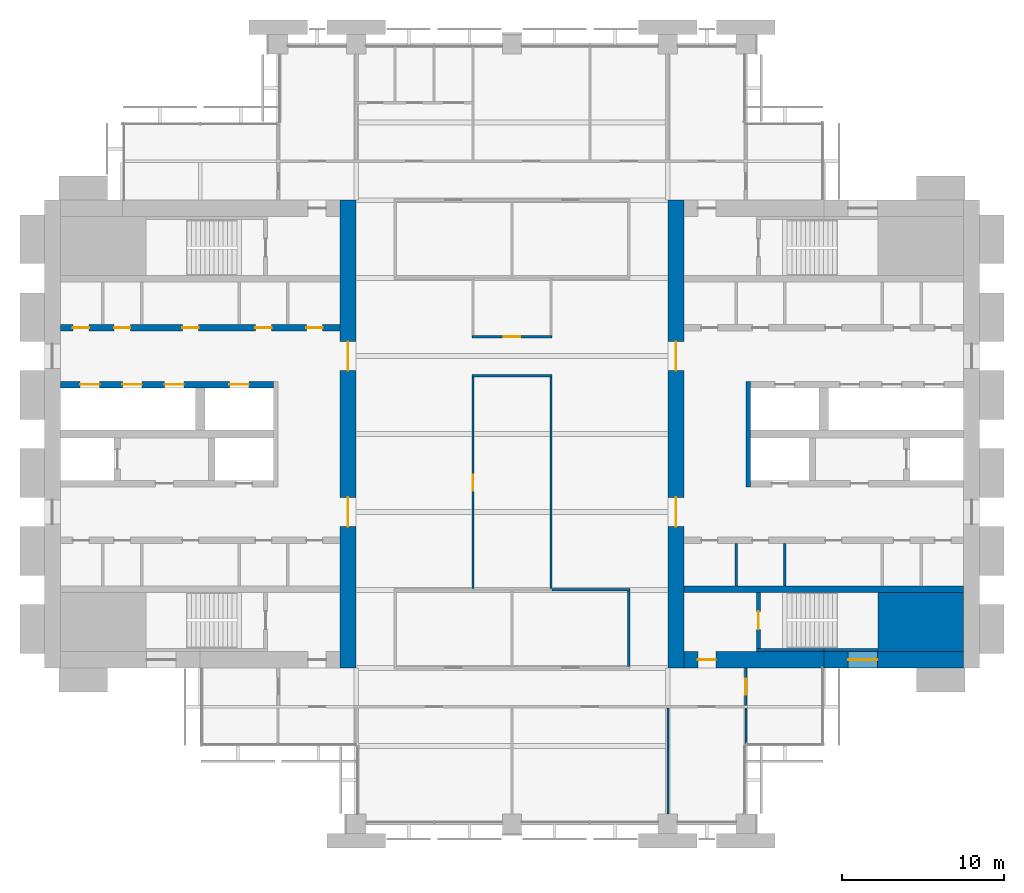
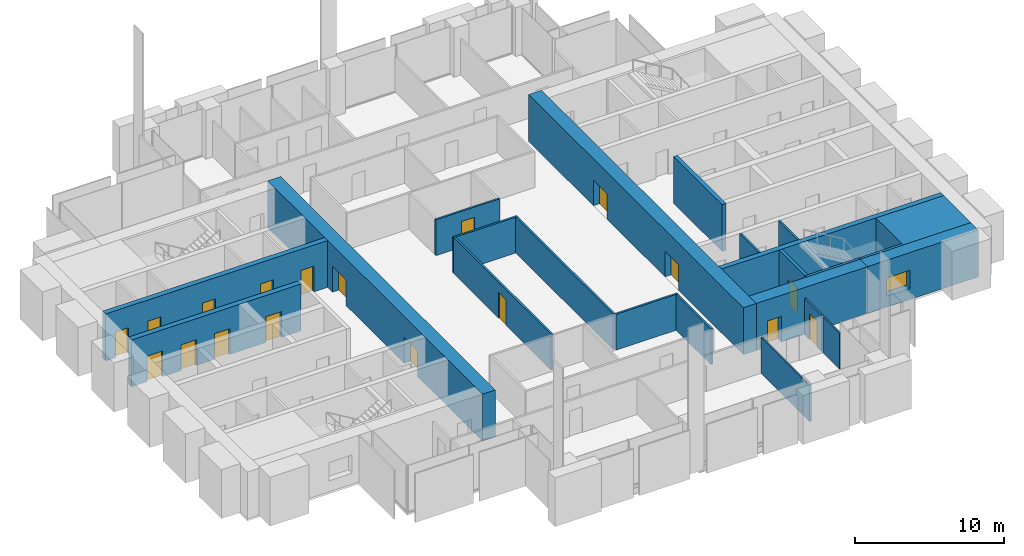
# One storey, part 10 of 14: 23 walls, 18 doors, 1 window, 19 openings.
"""IFC4 building model written with IfcOpenShell, lengths in metres."""

from ifc_helpers import new_model, si_unit, direction, frame, frame_2d, origin, place, context, subcontext, project, spatial, rectangle, extrude, material, layer, layer_set, type_object, element, fill, save


model = new_model("IFC4")

# Units and contexts
model_context = context("Model", 3, precision=1e-05, world=origin(), true_north=direction((0.0, 1.0)))
body_context = subcontext(model_context, "Body", "Model", "MODEL_VIEW")
ifc_project = project(units=[si_unit("LENGTHUNIT", "METRE"), si_unit("AREAUNIT", "SQUARE_METRE"), si_unit("VOLUMEUNIT", "CUBIC_METRE"), si_unit("PLANEANGLEUNIT", "RADIAN"), si_unit("MASSUNIT", "GRAM", prefix="KILO")], contexts=[model_context])

# Site, building, storey
site_placement = place(None, origin())
site = spatial("IfcSite", under=ifc_project, at=site_placement, CompositionType="ELEMENT")
building_placement = place(site_placement, origin())
building = spatial("IfcBuilding", under=site, at=building_placement, Name="Baori Bourse Tower", CompositionType="ELEMENT")
storey_placement = place(building_placement, frame((0.0, 0.0, 156.10009765625)))
storey = spatial("IfcBuildingStorey", under=building, at=storey_placement, Name="L34", CompositionType="ELEMENT", Elevation=156.10009765625)

# Walls
ifc_material_1 = material(Name="Concrete f'c 60 MPa", Category="concrete")
wall_type_1 = type_object("IfcWallType", Name="Core corner block f'c 60", PredefinedType="SHEAR", material=ifc_material_1)
wall_1_placement = place(storey_placement, frame((51.35009765625, 12.425048828125, 0.0), z_axis=(0.0, 0.0, 1.0), x_axis=(1.0, 0.0, 0.0)))
element("IfcWall", 1, at=wall_1_placement, inside=storey, type_object=wall_type_1, Name="Core wall E05", PredefinedType="SHEAR", context=body_context, shape_type="SweptSolid", body=[
    extrude(rectangle(XDim=5.25, YDim=3.64990234375, at=frame_2d((2.625, 0.0))), origin(), (0.0, 0.0, 1.0), 3.83984375),
])
ifc_material_2 = material(Name="Blockwork partition", Category="masonry")
ifc_layer_1 = layer(ifc_material_2, 0.14990234375)
ifc_layer_set_1 = layer_set([ifc_layer_1], Name="Core partition 150")
wall_type_2 = type_object("IfcWallType", Name="Core partition 150", PredefinedType="PARTITIONING", material=ifc_layer_set_1)
for number, where, z_axis, x_axis, name in (
    (2, (45.60009765625, 14.64990234375, 0.0), (0.0, 0.0, 1.0), (0.0, 1.0, 0.0), "Partition wall E12"),
    (3, (42.60009765625, 14.64990234375, 0.0), (0.0, 0.0, 1.0), (0.0, 1.0, 0.0), "Partition wall E13"),
):
    element("IfcWall", number, at=place(storey_placement, frame(where, z_axis=z_axis, x_axis=x_axis)), inside=storey, type_object=wall_type_2, Name=name, PredefinedType="PARTITIONING", context=body_context, shape_type="SweptSolid", body=[
        extrude(rectangle(XDim=2.60009765625, YDim=0.14990234375, at=frame_2d((1.300048828125, 0.0))), origin(), (0.0, 0.0, 1.0), 3.83984375),
    ])

# Wall, openings, doors
ifc_material_3 = material(Name="Concrete f'c 60 MPa", Category="concrete")
ifc_layer_2 = layer(ifc_material_3, 1.0)
ifc_layer_set_2 = layer_set([ifc_layer_2], Name="Core wall 1000 f'c 60")
wall_type_3 = type_object("IfcWallType", Name="Core wall 1000 f'c 60", PredefinedType="SHEAR", material=ifc_layer_set_2)
wall_2_placement = place(storey_placement, frame((18.699951171875, 38.39990234375, 0.0), z_axis=(0.0, 0.0, 1.0), x_axis=(0.0, -1.0, 0.0)))
wall_2 = element("IfcWall", 4, at=wall_2_placement, inside=storey, type_object=wall_type_3, Name="Core wall W04", PredefinedType="SHEAR", context=body_context, shape_type="SweptSolid", body=[
    extrude(rectangle(XDim=28.7998046875, YDim=1.0, at=frame_2d((14.39990234375, 0.0))), origin(), (0.0, 0.0, 1.0), 3.83984375),
])
opening_1_placement = place(wall_2_placement, frame((18.300048828125, 0.0, 0.0)))
opening_1 = element("IfcOpeningElement", 5, at=opening_1_placement, cuts=wall_2, Name="Opening L34-D107", PredefinedType="OPENING", context=body_context, shape_type="SweptSolid", body=[
    extrude(rectangle(XDim=1.800048828125, YDim=2.10009765625, at=frame_2d((0.89990234375, 1.050048828125))), frame((0.0, 0.510009765625, 0.0), z_axis=(0.0, -1.0, 0.0), x_axis=(1.0, 0.0, 0.0)), (0.0, 0.0, 1.0), 1.02001953125),
])
opening_2_placement = place(wall_2_placement, frame((8.699951171875, 0.0, 0.0)))
opening_2 = element("IfcOpeningElement", 6, at=opening_2_placement, cuts=wall_2, Name="Opening L34-D108", PredefinedType="OPENING", context=body_context, shape_type="SweptSolid", body=[
    extrude(rectangle(XDim=1.800048828125, YDim=2.10009765625, at=frame_2d((0.89990234375, 1.050048828125))), frame((0.0, 0.510009765625, 0.0), z_axis=(0.0, -1.0, 0.0), x_axis=(1.0, 0.0, 0.0)), (0.0, 0.0, 1.0), 1.02001953125),
])
ifc_material_4 = material(Name="Painted steel door", Category="steel")
door_type_1 = type_object("IfcDoorType", Name="Core lobby door 1800", OperationType="DOUBLE_DOOR_SINGLE_SWING", PredefinedType="DOOR", material=ifc_material_4)
door_1_placement = place(opening_1_placement, origin())
door_1 = element("IfcDoor", 7, at=door_1_placement, inside=storey, type_object=door_type_1, Name="Lobby door W L34", OperationType="DOUBLE_DOOR_SINGLE_SWING", OverallHeight=2.10009765625, OverallWidth=1.800048828125, PredefinedType="DOOR", context=body_context, shape_type="SweptSolid", body=[
    extrude(rectangle(XDim=1.800048828125, YDim=2.10009765625, at=frame_2d((0.89990234375, 1.050048828125))), frame((0.0, 0.02490234375, 0.0), z_axis=(0.0, -1.0, 0.0), x_axis=(1.0, 0.0, 0.0)), (0.0, 0.0, 1.0), 0.050048828125),
])
fill(opening_1, door_1)
door_2_placement = place(opening_2_placement, origin())
door_2 = element("IfcDoor", 8, at=door_2_placement, inside=storey, type_object=door_type_1, Name="Lobby door W L34", OperationType="DOUBLE_DOOR_SINGLE_SWING", OverallHeight=2.10009765625, OverallWidth=1.800048828125, PredefinedType="DOOR", context=body_context, shape_type="SweptSolid", body=[
    extrude(rectangle(XDim=1.800048828125, YDim=2.10009765625, at=frame_2d((0.89990234375, 1.050048828125))), frame((0.0, 0.02490234375, 0.0), z_axis=(0.0, -1.0, 0.0), x_axis=(1.0, 0.0, 0.0)), (0.0, 0.0, 1.0), 0.050048828125),
])
fill(opening_2, door_2)

# Wall, opening, window
wall_3_placement = place(storey_placement, frame((56.60009765625, 10.10009765625, 0.0), z_axis=(0.0, 0.0, 1.0), x_axis=(-1.0, 0.0, 0.0)))
wall_3 = element("IfcWall", 9, at=wall_3_placement, inside=storey, type_object=wall_type_3, Name="Core wall E02", PredefinedType="SHEAR", context=body_context, shape_type="SweptSolid", body=[
    extrude(rectangle(XDim=8.60009765625, YDim=1.0, at=frame_2d((4.300048828125, 0.0))), origin(), (0.0, 0.0, 1.0), 3.83984375),
])
opening_3_placement = place(wall_3_placement, frame((5.300048828125, 0.0, 0.89990234375)))
opening_3 = element("IfcOpeningElement", 10, at=opening_3_placement, cuts=wall_3, Name="Opening L34-KW203", PredefinedType="OPENING", context=body_context, shape_type="SweptSolid", body=[
    extrude(rectangle(XDim=1.800048828125, YDim=1.5, at=frame_2d((0.89990234375, 0.75))), frame((0.0, 0.510009765625, 0.0), z_axis=(0.0, -1.0, 0.0), x_axis=(1.0, 0.0, 0.0)), (0.0, 0.0, 1.0), 1.02001953125),
])
ifc_material_5 = material(Name="Pale anodised aluminium", Category="aluminium")
window_type = type_object("IfcWindowType", Name="Stair window 1800 x 1500", PartitioningType="SINGLE_PANEL", PredefinedType="WINDOW", material=ifc_material_5)
window_placement = place(opening_3_placement, origin())
window = element("IfcWindow", 11, at=window_placement, inside=storey, type_object=window_type, Name="Stair window E L34 3", OverallHeight=1.5, OverallWidth=1.800048828125, PartitioningType="SINGLE_PANEL", PredefinedType="WINDOW", context=body_context, shape_type="SweptSolid", body=[
    extrude(rectangle(XDim=1.800048828125, YDim=1.5, at=frame_2d((0.89990234375, 0.75))), frame((0.0, 0.030029296875, 0.0), z_axis=(0.0, -1.0, 0.0), x_axis=(1.0, 0.0, 0.0)), (0.0, 0.0, 1.0), 0.06005859375),
])
fill(opening_3, window)

# Wall, opening, door
wall_4_placement = place(storey_placement, frame((48.0, 10.10009765625, 0.0), z_axis=(0.0, 0.0, 1.0), x_axis=(-1.0, 0.0, 0.0)))
wall_4 = element("IfcWall", 12, at=wall_4_placement, inside=storey, type_object=wall_type_3, Name="Core wall E03", PredefinedType="SHEAR", context=body_context, shape_type="SweptSolid", body=[
    extrude(rectangle(XDim=8.60009765625, YDim=1.0, at=frame_2d((4.300048828125, 0.0))), origin(), (0.0, 0.0, 1.0), 3.83984375),
])
opening_4_placement = place(wall_4_placement, frame((6.64990234375, 0.0, 0.0)))
opening_4 = element("IfcOpeningElement", 13, at=opening_4_placement, cuts=wall_4, Name="Opening L34-D202", PredefinedType="OPENING", context=body_context, shape_type="SweptSolid", body=[
    extrude(rectangle(XDim=1.10009765625, YDim=2.10009765625, at=frame_2d((0.550048828125, 1.050048828125))), frame((0.0, 0.510009765625, 0.0), z_axis=(0.0, -1.0, 0.0), x_axis=(1.0, 0.0, 0.0)), (0.0, 0.0, 1.0), 1.02001953125),
])
ifc_material_6 = material(Name="Painted steel door", Category="steel")
door_type_2 = type_object("IfcDoorType", Name="Stair door 1100", OperationType="SINGLE_SWING_LEFT", PredefinedType="DOOR", material=ifc_material_6)
door_3_placement = place(opening_4_placement, origin())
door_3 = element("IfcDoor", 14, at=door_3_placement, inside=storey, type_object=door_type_2, Name="Stair vestibule door A E L34", OperationType="SINGLE_SWING_LEFT", OverallHeight=2.10009765625, OverallWidth=1.10009765625, PredefinedType="DOOR", context=body_context, shape_type="SweptSolid", body=[
    extrude(rectangle(XDim=1.10009765625, YDim=2.10009765625, at=frame_2d((0.550048828125, 1.050048828125))), frame((0.0, 0.02490234375, 0.0), z_axis=(0.0, -1.0, 0.0), x_axis=(1.0, 0.0, 0.0)), (0.0, 0.0, 1.0), 0.050048828125),
])
fill(opening_4, door_3)

# Wall, openings, doors
wall_5_placement = place(storey_placement, frame((38.89990234375, 9.60009765625, 0.0), z_axis=(0.0, 0.0, 1.0), x_axis=(0.0, 1.0, 0.0)))
wall_5 = element("IfcWall", 15, at=wall_5_placement, inside=storey, type_object=wall_type_3, Name="Core wall E04", PredefinedType="SHEAR", context=body_context, shape_type="SweptSolid", body=[
    extrude(rectangle(XDim=28.7998046875, YDim=1.0, at=frame_2d((14.39990234375, 0.0))), origin(), (0.0, 0.0, 1.0), 3.83984375),
])
opening_5_placement = place(wall_5_placement, frame((8.699951171875, 0.0, 0.0)))
opening_5 = element("IfcOpeningElement", 16, at=opening_5_placement, cuts=wall_5, Name="Opening L34-D207", PredefinedType="OPENING", context=body_context, shape_type="SweptSolid", body=[
    extrude(rectangle(XDim=1.800048828125, YDim=2.10009765625, at=frame_2d((0.89990234375, 1.050048828125))), frame((0.0, 0.510009765625, 0.0), z_axis=(0.0, -1.0, 0.0), x_axis=(1.0, 0.0, 0.0)), (0.0, 0.0, 1.0), 1.02001953125),
])
opening_6_placement = place(wall_5_placement, frame((18.300048828125, 0.0, 0.0)))
opening_6 = element("IfcOpeningElement", 17, at=opening_6_placement, cuts=wall_5, Name="Opening L34-D208", PredefinedType="OPENING", context=body_context, shape_type="SweptSolid", body=[
    extrude(rectangle(XDim=1.800048828125, YDim=2.10009765625, at=frame_2d((0.89990234375, 1.050048828125))), frame((0.0, 0.510009765625, 0.0), z_axis=(0.0, -1.0, 0.0), x_axis=(1.0, 0.0, 0.0)), (0.0, 0.0, 1.0), 1.02001953125),
])
door_4_placement = place(opening_5_placement, origin())
door_4 = element("IfcDoor", 18, at=door_4_placement, inside=storey, type_object=door_type_1, Name="Lobby door E L34", OperationType="DOUBLE_DOOR_SINGLE_SWING", OverallHeight=2.10009765625, OverallWidth=1.800048828125, PredefinedType="DOOR", context=body_context, shape_type="SweptSolid", body=[
    extrude(rectangle(XDim=1.800048828125, YDim=2.10009765625, at=frame_2d((0.89990234375, 1.050048828125))), frame((0.0, 0.02490234375, 0.0), z_axis=(0.0, -1.0, 0.0), x_axis=(1.0, 0.0, 0.0)), (0.0, 0.0, 1.0), 0.050048828125),
])
fill(opening_5, door_4)
door_5_placement = place(opening_6_placement, origin())
door_5 = element("IfcDoor", 19, at=door_5_placement, inside=storey, type_object=door_type_1, Name="Lobby door E L34", OperationType="DOUBLE_DOOR_SINGLE_SWING", OverallHeight=2.10009765625, OverallWidth=1.800048828125, PredefinedType="DOOR", context=body_context, shape_type="SweptSolid", body=[
    extrude(rectangle(XDim=1.800048828125, YDim=2.10009765625, at=frame_2d((0.89990234375, 1.050048828125))), frame((0.0, 0.02490234375, 0.0), z_axis=(0.0, -1.0, 0.0), x_axis=(1.0, 0.0, 0.0)), (0.0, 0.0, 1.0), 0.050048828125),
])
fill(opening_6, door_5)

# Walls
ifc_material_7 = material(Name="Gypsum board partition")
ifc_layer_3 = layer(ifc_material_7, 0.14990234375)
ifc_layer_set_3 = layer_set([ifc_layer_3], Name="Corridor partition 150")
wall_type_4 = type_object("IfcWallType", Name="Corridor partition 150", PredefinedType="PARTITIONING", material=ifc_layer_set_3)
wall_6_placement = place(storey_placement, frame((31.27490234375, 14.39990234375, 0.0), z_axis=(0.0, 0.0, 1.0), x_axis=(1.0, 0.0, 0.0)))
element("IfcWall", 20, at=wall_6_placement, inside=storey, type_object=wall_type_4, Name="Partition", PredefinedType="PARTITIONING", context=body_context, shape_type="SweptSolid", body=[
    extrude(rectangle(XDim=4.800048828125, YDim=0.14990234375, at=frame_2d((2.39990234375, 0.0))), origin(), (0.0, 0.0, 1.0), 2.935546875),
])
wall_7_placement = place(storey_placement, frame((26.324951171875, 27.60009765625, 0.0), z_axis=(0.0, 0.0, 1.0), x_axis=(1.0, 0.0, 0.0)))
element("IfcWall", 21, at=wall_7_placement, inside=storey, type_object=wall_type_4, Name="Partition", PredefinedType="PARTITIONING", context=body_context, shape_type="SweptSolid", body=[
    extrude(rectangle(XDim=4.949951171875, YDim=0.14990234375, at=frame_2d((2.47509765625, 0.0))), origin(), (0.0, 0.0, 1.0), 2.935546875),
])

# Wall, opening, door
wall_8_placement = place(storey_placement, frame((26.324951171875, 30.0, 0.0), z_axis=(0.0, 0.0, 1.0), x_axis=(1.0, 0.0, 0.0)))
wall_8 = element("IfcWall", 22, at=wall_8_placement, inside=storey, type_object=wall_type_4, Name="Partition", PredefinedType="PARTITIONING", context=body_context, shape_type="SweptSolid", body=[
    extrude(rectangle(XDim=4.949951171875, YDim=0.14990234375, at=frame_2d((2.47509765625, 0.0))), origin(), (0.0, 0.0, 1.0), 2.935546875),
])
opening_7_placement = place(wall_8_placement, frame((1.97509765625, 0.0, 0.0)))
opening_7 = element("IfcOpeningElement", 23, at=opening_7_placement, cuts=wall_8, Name="Opening L34-D07", PredefinedType="OPENING", context=body_context, shape_type="SweptSolid", body=[
    extrude(rectangle(XDim=1.0, YDim=2.10009765625, at=frame_2d((0.5, 1.050048828125))), frame((0.0, 0.0849609375, 0.0), z_axis=(0.0, -1.0, 0.0), x_axis=(1.0, 0.0, 0.0)), (0.0, 0.0, 1.0), 0.169921875),
])
ifc_material_8 = material(Name="Timber door leaf", Category="wood")
door_type_3 = type_object("IfcDoorType", Name="Door 1000 x 2100", OperationType="SINGLE_SWING_LEFT", PredefinedType="DOOR", material=ifc_material_8)
door_6_placement = place(opening_7_placement, origin())
door_6 = element("IfcDoor", 24, at=door_6_placement, inside=storey, type_object=door_type_3, Name="Door", OperationType="SINGLE_SWING_LEFT", OverallHeight=2.10009765625, OverallWidth=1.0, PredefinedType="DOOR", context=body_context, shape_type="SweptSolid", body=[
    extrude(rectangle(XDim=1.0, YDim=2.10009765625, at=frame_2d((0.5, 1.050048828125))), frame((0.0, 0.02490234375, 0.0), z_axis=(0.0, -1.0, 0.0), x_axis=(1.0, 0.0, 0.0)), (0.0, 0.0, 1.0), 0.050048828125),
])
fill(opening_7, door_6)

wall_9_placement = place(storey_placement, frame((26.39990234375, 14.47509765625, 0.0), z_axis=(0.0, 0.0, 1.0), x_axis=(0.0, 1.0, 0.0)))
wall_9 = element("IfcWall", 25, at=wall_9_placement, inside=storey, type_object=wall_type_4, Name="Partition", PredefinedType="PARTITIONING", context=body_context, shape_type="SweptSolid", body=[
    extrude(rectangle(XDim=13.0498046875, YDim=0.14990234375, at=frame_2d((6.52490234375, 0.0))), origin(), (0.0, 0.0, 1.0), 2.935546875),
])
opening_8_placement = place(wall_9_placement, frame((6.02490234375, 0.0, 0.0)))
opening_8 = element("IfcOpeningElement", 26, at=opening_8_placement, cuts=wall_9, Name="Opening L34-D20", PredefinedType="OPENING", context=body_context, shape_type="SweptSolid", body=[
    extrude(rectangle(XDim=1.0, YDim=2.10009765625, at=frame_2d((0.5, 1.050048828125))), frame((0.0, 0.0849609375, 0.0), z_axis=(0.0, -1.0, 0.0), x_axis=(1.0, 0.0, 0.0)), (0.0, 0.0, 1.0), 0.169921875),
])
door_7_placement = place(opening_8_placement, origin())
door_7 = element("IfcDoor", 27, at=door_7_placement, inside=storey, type_object=door_type_3, Name="Door", OperationType="SINGLE_SWING_RIGHT", OverallHeight=2.10009765625, OverallWidth=1.0, PredefinedType="DOOR", context=body_context, shape_type="SweptSolid", body=[
    extrude(rectangle(XDim=1.0, YDim=2.10009765625, at=frame_2d((0.5, 1.050048828125))), frame((0.0, 0.02490234375, 0.0), z_axis=(0.0, -1.0, 0.0), x_axis=(1.0, 0.0, 0.0)), (0.0, 0.0, 1.0), 0.050048828125),
])
fill(opening_8, door_7)

# Walls
wall_10_placement = place(storey_placement, frame((31.199951171875, 14.47509765625, 0.0), z_axis=(0.0, 0.0, 1.0), x_axis=(0.0, 1.0, 0.0)))
element("IfcWall", 28, at=wall_10_placement, inside=storey, type_object=wall_type_4, Name="Partition", PredefinedType="PARTITIONING", context=body_context, shape_type="SweptSolid", body=[
    extrude(rectangle(XDim=13.0498046875, YDim=0.14990234375, at=frame_2d((6.52490234375, 0.0))), origin(), (0.0, 0.0, 1.0), 2.935546875),
])
wall_11_placement = place(storey_placement, frame((36.0, 9.675048828125, 0.0), z_axis=(0.0, 0.0, 1.0), x_axis=(0.0, 1.0, 0.0)))
element("IfcWall", 29, at=wall_11_placement, inside=storey, type_object=wall_type_4, Name="Partition", PredefinedType="PARTITIONING", context=body_context, shape_type="SweptSolid", body=[
    extrude(rectangle(XDim=4.64990234375, YDim=0.14990234375, at=frame_2d((2.324951171875, 0.0))), origin(), (0.0, 0.0, 1.0), 2.935546875),
])

# Wall, opening, door
wall_12_placement = place(storey_placement, frame((43.199951171875, 7.27490234375, 0.0), z_axis=(0.0, 0.0, 1.0), x_axis=(0.0, 1.0, 0.0)))
wall_12 = element("IfcWall", 30, at=wall_12_placement, inside=storey, type_object=wall_type_4, Name="Partition", PredefinedType="PARTITIONING", context=body_context, shape_type="SweptSolid", body=[
    extrude(rectangle(XDim=2.3251953125, YDim=0.14990234375, at=frame_2d((1.16259765625, 0.0))), origin(), (0.0, 0.0, 1.0), 2.935546875),
])
opening_9_placement = place(wall_12_placement, frame((0.66259765625, 0.0, 0.0)))
opening_9 = element("IfcOpeningElement", 31, at=opening_9_placement, cuts=wall_12, Name="Opening L34-D21", PredefinedType="OPENING", context=body_context, shape_type="SweptSolid", body=[
    extrude(rectangle(XDim=1.0, YDim=2.10009765625, at=frame_2d((0.5, 1.050048828125))), frame((0.0, 0.0849609375, 0.0), z_axis=(0.0, -1.0, 0.0), x_axis=(1.0, 0.0, 0.0)), (0.0, 0.0, 1.0), 0.169921875),
])
door_8_placement = place(opening_9_placement, origin())
door_8 = element("IfcDoor", 32, at=door_8_placement, inside=storey, type_object=door_type_3, Name="Door", OperationType="SINGLE_SWING_LEFT", OverallHeight=2.10009765625, OverallWidth=1.0, PredefinedType="DOOR", context=body_context, shape_type="SweptSolid", body=[
    extrude(rectangle(XDim=1.0, YDim=2.10009765625, at=frame_2d((0.5, 1.050048828125))), frame((0.0, 0.02490234375, 0.0), z_axis=(0.0, -1.0, 0.0), x_axis=(1.0, 0.0, 0.0)), (0.0, 0.0, 1.0), 0.050048828125),
])
fill(opening_9, door_8)

# Walls
ifc_material_9 = material(Name="Gypsum board partition")
ifc_layer_4 = layer(ifc_material_9, 0.125)
ifc_layer_set_4 = layer_set([ifc_layer_4], Name="Partition 125")
wall_type_5 = type_object("IfcWallType", Name="Partition 125", PredefinedType="PARTITIONING", material=ifc_layer_set_4)
wall_13_placement = place(storey_placement, frame((38.39990234375, 0.60009765625, 0.0), z_axis=(0.0, 0.0, 1.0), x_axis=(0.0, 1.0, 0.0)))
element("IfcWall", 33, at=wall_13_placement, inside=storey, type_object=wall_type_5, Name="Partition", PredefinedType="PARTITIONING", context=body_context, shape_type="SweptSolid", body=[
    extrude(rectangle(XDim=6.52490234375, YDim=0.125, at=frame_2d((3.262451171875, 0.0))), origin(), (0.0, 0.0, 1.0), 2.935546875),
])
wall_14_placement = place(storey_placement, frame((43.199951171875, 4.89990234375, 0.0), z_axis=(0.0, 0.0, 1.0), x_axis=(0.0, 1.0, 0.0)))
element("IfcWall", 34, at=wall_14_placement, inside=storey, type_object=wall_type_5, Name="Partition", PredefinedType="PARTITIONING", context=body_context, shape_type="SweptSolid", body=[
    extrude(rectangle(XDim=2.22509765625, YDim=0.125, at=frame_2d((1.112548828125, 0.0))), origin(), (0.0, 0.0, 1.0), 2.935546875),
])
ifc_material_10 = material(Name="Concrete f'c 60 MPa", Category="concrete")
ifc_layer_5 = layer(ifc_material_10, 0.199951171875)
ifc_layer_set_5 = layer_set([ifc_layer_5], Name="Shaft wall 200 f'c 60")
wall_type_6 = type_object("IfcWallType", Name="Shaft wall 200 f'c 60", PredefinedType="SHEAR", material=ifc_layer_set_5)
wall_15_placement = place(storey_placement, frame((48.0, 10.699951171875, 0.0), z_axis=(0.0, 0.0, 1.0), x_axis=(1.0, 0.0, 0.0)))
element("IfcWall", 35, at=wall_15_placement, inside=storey, type_object=wall_type_6, Name="Core wall E06", PredefinedType="SHEAR", context=body_context, shape_type="SweptSolid", body=[
    extrude(rectangle(XDim=3.35009765625, YDim=0.199951171875, at=frame_2d((1.675048828125, 0.0))), origin(), (0.0, 0.0, 1.0), 3.83984375),
])
wall_16_placement = place(storey_placement, frame((43.85009765625, 10.699951171875, 0.0), z_axis=(0.0, 0.0, 1.0), x_axis=(1.0, 0.0, 0.0)))
element("IfcWall", 36, at=wall_16_placement, inside=storey, type_object=wall_type_6, Name="Core wall E07", PredefinedType="SHEAR", context=body_context, shape_type="SweptSolid", body=[
    extrude(rectangle(XDim=4.14990234375, YDim=0.199951171875, at=frame_2d((2.074951171875, 0.0))), origin(), (0.0, 0.0, 1.0), 3.83984375),
])

# Wall, opening, door
ifc_material_11 = material(Name="Concrete f'c 60 MPa", Category="concrete")
ifc_layer_6 = layer(ifc_material_11, 0.25)
ifc_layer_set_6 = layer_set([ifc_layer_6], Name="Shaft wall 250 f'c 60")
wall_type_7 = type_object("IfcWallType", Name="Shaft wall 250 f'c 60", PredefinedType="SHEAR", material=ifc_layer_set_6)
wall_17_placement = place(storey_placement, frame((43.97509765625, 10.800048828125, 0.0), z_axis=(0.0, 0.0, 1.0), x_axis=(0.0, 1.0, 0.0)))
wall_17 = element("IfcWall", 37, at=wall_17_placement, inside=storey, type_object=wall_type_7, Name="Core wall E08", PredefinedType="SHEAR", context=body_context, shape_type="SweptSolid", body=[
    extrude(rectangle(XDim=3.449951171875, YDim=0.25, at=frame_2d((1.72509765625, 0.0))), origin(), (0.0, 0.0, 1.0), 3.83984375),
])
opening_10_placement = place(wall_17_placement, frame((1.175048828125, 0.0, 0.0)))
opening_10 = element("IfcOpeningElement", 38, at=opening_10_placement, cuts=wall_17, Name="Opening L34-D201", PredefinedType="OPENING", context=body_context, shape_type="SweptSolid", body=[
    extrude(rectangle(XDim=1.10009765625, YDim=2.10009765625, at=frame_2d((0.550048828125, 1.050048828125))), frame((0.0, 0.135009765625, 0.0), z_axis=(0.0, -1.0, 0.0), x_axis=(1.0, 0.0, 0.0)), (0.0, 0.0, 1.0), 0.27001953125),
])
door_9_placement = place(opening_10_placement, origin())
door_9 = element("IfcDoor", 39, at=door_9_placement, inside=storey, type_object=door_type_2, Name="Stair door A E L34", OperationType="SINGLE_SWING_LEFT", OverallHeight=2.10009765625, OverallWidth=1.10009765625, PredefinedType="DOOR", context=body_context, shape_type="SweptSolid", body=[
    extrude(rectangle(XDim=1.10009765625, YDim=2.10009765625, at=frame_2d((0.550048828125, 1.050048828125))), frame((0.0, 0.02490234375, 0.0), z_axis=(0.0, -1.0, 0.0), x_axis=(1.0, 0.0, 0.0)), (0.0, 0.0, 1.0), 0.050048828125),
])
fill(opening_10, door_9)

# Wall
ifc_material_12 = material(Name="Concrete f'c 60 MPa", Category="concrete")
ifc_layer_7 = layer(ifc_material_12, 0.300048828125)
ifc_layer_set_7 = layer_set([ifc_layer_7], Name="Shaft wall 300 f'c 60")
wall_type_8 = type_object("IfcWallType", Name="Shaft wall 300 f'c 60", PredefinedType="SHEAR", material=ifc_layer_set_7)
wall_18_placement = place(storey_placement, frame((43.35009765625, 20.75, 0.0), z_axis=(0.0, 0.0, 1.0), x_axis=(0.0, 1.0, 0.0)))
element("IfcWall", 40, at=wall_18_placement, inside=storey, type_object=wall_type_8, Name="Core wall E16", PredefinedType="SHEAR", context=body_context, shape_type="SweptSolid", body=[
    extrude(rectangle(XDim=6.5, YDim=0.300048828125, at=frame_2d((3.25, 0.0))), origin(), (0.0, 0.0, 1.0), 3.83984375),
])

# Wall, openings, doors
ifc_material_13 = material(Name="Concrete f'c 60 MPa", Category="concrete")
ifc_layer_8 = layer(ifc_material_13, 0.39990234375)
ifc_layer_set_8 = layer_set([ifc_layer_8], Name="Shaft wall 400 f'c 60")
wall_type_9 = type_object("IfcWallType", Name="Shaft wall 400 f'c 60", PredefinedType="SHEAR", material=ifc_layer_set_8)
wall_19_placement = place(storey_placement, frame((1.0, 27.050048828125, 0.0), z_axis=(0.0, 0.0, 1.0), x_axis=(1.0, 0.0, 0.0)))
wall_19 = element("IfcWall", 41, at=wall_19_placement, inside=storey, type_object=wall_type_9, Name="Core wall W21", PredefinedType="SHEAR", context=body_context, shape_type="SweptSolid", body=[
    extrude(rectangle(XDim=13.10009765625, YDim=0.39990234375, at=frame_2d((6.550048828125, 0.0))), origin(), (0.0, 0.0, 1.0), 3.83984375),
])
opening_11_placement = place(wall_19_placement, frame((1.199951171875, 0.0, 0.0)))
opening_11 = element("IfcOpeningElement", 42, at=opening_11_placement, cuts=wall_19, Name="Opening L34-D119", PredefinedType="OPENING", context=body_context, shape_type="SweptSolid", body=[
    extrude(rectangle(XDim=1.199951171875, YDim=2.10009765625, at=frame_2d((0.60009765625, 1.050048828125))), frame((0.0, 0.2099609375, 0.0), z_axis=(0.0, -1.0, 0.0), x_axis=(1.0, 0.0, 0.0)), (0.0, 0.0, 1.0), 0.419921875),
])
opening_12_placement = place(wall_19_placement, frame((3.800048828125, 0.0, 0.0)))
opening_12 = element("IfcOpeningElement", 43, at=opening_12_placement, cuts=wall_19, Name="Opening L34-D120", PredefinedType="OPENING", context=body_context, shape_type="SweptSolid", body=[
    extrude(rectangle(XDim=1.199951171875, YDim=2.10009765625, at=frame_2d((0.60009765625, 1.050048828125))), frame((0.0, 0.2099609375, 0.0), z_axis=(0.0, -1.0, 0.0), x_axis=(1.0, 0.0, 0.0)), (0.0, 0.0, 1.0), 0.419921875),
])
opening_13_placement = place(wall_19_placement, frame((6.39990234375, 0.0, 0.0)))
opening_13 = element("IfcOpeningElement", 44, at=opening_13_placement, cuts=wall_19, Name="Opening L34-D121", PredefinedType="OPENING", context=body_context, shape_type="SweptSolid", body=[
    extrude(rectangle(XDim=1.199951171875, YDim=2.10009765625, at=frame_2d((0.60009765625, 1.050048828125))), frame((0.0, 0.2099609375, 0.0), z_axis=(0.0, -1.0, 0.0), x_axis=(1.0, 0.0, 0.0)), (0.0, 0.0, 1.0), 0.419921875),
])
opening_14_placement = place(wall_19_placement, frame((10.39990234375, 0.0, 0.0)))
opening_14 = element("IfcOpeningElement", 45, at=opening_14_placement, cuts=wall_19, Name="Opening L34-D122", PredefinedType="OPENING", context=body_context, shape_type="SweptSolid", body=[
    extrude(rectangle(XDim=1.199951171875, YDim=2.10009765625, at=frame_2d((0.60009765625, 1.050048828125))), frame((0.0, 0.2099609375, 0.0), z_axis=(0.0, -1.0, 0.0), x_axis=(1.0, 0.0, 0.0)), (0.0, 0.0, 1.0), 0.419921875),
])
ifc_material_14 = material(Name="Stainless steel door", Category="steel")
door_type_4 = type_object("IfcDoorType", Name="Lift landing door", OperationType="DOUBLE_DOOR_SLIDING", PredefinedType="DOOR", material=ifc_material_14)
door_10_placement = place(opening_11_placement, origin())
door_10 = element("IfcDoor", 46, at=door_10_placement, inside=storey, type_object=door_type_4, Name="Lift landing door SH1 W L34", OperationType="DOUBLE_DOOR_SLIDING", OverallHeight=2.10009765625, OverallWidth=1.199951171875, PredefinedType="DOOR", context=body_context, shape_type="SweptSolid", body=[
    extrude(rectangle(XDim=1.199951171875, YDim=2.10009765625, at=frame_2d((0.60009765625, 1.050048828125))), frame((0.0, 0.02490234375, 0.0), z_axis=(0.0, -1.0, 0.0), x_axis=(1.0, 0.0, 0.0)), (0.0, 0.0, 1.0), 0.050048828125),
])
fill(opening_11, door_10)
door_11_placement = place(opening_12_placement, origin())
door_11 = element("IfcDoor", 47, at=door_11_placement, inside=storey, type_object=door_type_4, Name="Lift landing door SH2 W L34", OperationType="DOUBLE_DOOR_SLIDING", OverallHeight=2.10009765625, OverallWidth=1.199951171875, PredefinedType="DOOR", context=body_context, shape_type="SweptSolid", body=[
    extrude(rectangle(XDim=1.199951171875, YDim=2.10009765625, at=frame_2d((0.60009765625, 1.050048828125))), frame((0.0, 0.02490234375, 0.0), z_axis=(0.0, -1.0, 0.0), x_axis=(1.0, 0.0, 0.0)), (0.0, 0.0, 1.0), 0.050048828125),
])
fill(opening_12, door_11)
door_12_placement = place(opening_13_placement, origin())
door_12 = element("IfcDoor", 48, at=door_12_placement, inside=storey, type_object=door_type_4, Name="Lift landing door SH3 W L34", OperationType="DOUBLE_DOOR_SLIDING", OverallHeight=2.10009765625, OverallWidth=1.199951171875, PredefinedType="DOOR", context=body_context, shape_type="SweptSolid", body=[
    extrude(rectangle(XDim=1.199951171875, YDim=2.10009765625, at=frame_2d((0.60009765625, 1.050048828125))), frame((0.0, 0.02490234375, 0.0), z_axis=(0.0, -1.0, 0.0), x_axis=(1.0, 0.0, 0.0)), (0.0, 0.0, 1.0), 0.050048828125),
])
fill(opening_13, door_12)
door_13_placement = place(opening_14_placement, origin())
door_13 = element("IfcDoor", 49, at=door_13_placement, inside=storey, type_object=door_type_4, Name="Lift landing door SV1 W L34", OperationType="DOUBLE_DOOR_SLIDING", OverallHeight=2.10009765625, OverallWidth=1.199951171875, PredefinedType="DOOR", context=body_context, shape_type="SweptSolid", body=[
    extrude(rectangle(XDim=1.199951171875, YDim=2.10009765625, at=frame_2d((0.60009765625, 1.050048828125))), frame((0.0, 0.02490234375, 0.0), z_axis=(0.0, -1.0, 0.0), x_axis=(1.0, 0.0, 0.0)), (0.0, 0.0, 1.0), 0.050048828125),
])
fill(opening_14, door_13)

wall_20_placement = place(storey_placement, frame((1.0, 30.550048828125, 0.0), z_axis=(0.0, 0.0, 1.0), x_axis=(1.0, 0.0, 0.0)))
wall_20 = element("IfcWall", 50, at=wall_20_placement, inside=storey, type_object=wall_type_9, Name="Core wall W22", PredefinedType="SHEAR", context=body_context, shape_type="SweptSolid", body=[
    extrude(rectangle(XDim=17.199951171875, YDim=0.39990234375, at=frame_2d((8.60009765625, 0.0))), origin(), (0.0, 0.0, 1.0), 3.83984375),
])
opening_15_placement = place(wall_20_placement, frame((0.762451171875, 0.0, 0.0)))
opening_15 = element("IfcOpeningElement", 51, at=opening_15_placement, cuts=wall_20, Name="Opening L34-D109", PredefinedType="OPENING", context=body_context, shape_type="SweptSolid", body=[
    extrude(rectangle(XDim=1.0, YDim=2.10009765625, at=frame_2d((0.5, 1.050048828125))), frame((0.0, 0.2099609375, 0.0), z_axis=(0.0, -1.0, 0.0), x_axis=(1.0, 0.0, 0.0)), (0.0, 0.0, 1.0), 0.419921875),
])
opening_16_placement = place(wall_20_placement, frame((3.300048828125, 0.0, 0.0)))
opening_16 = element("IfcOpeningElement", 52, at=opening_16_placement, cuts=wall_20, Name="Opening L34-D110", PredefinedType="OPENING", context=body_context, shape_type="SweptSolid", body=[
    extrude(rectangle(XDim=1.0, YDim=2.10009765625, at=frame_2d((0.5, 1.050048828125))), frame((0.0, 0.2099609375, 0.0), z_axis=(0.0, -1.0, 0.0), x_axis=(1.0, 0.0, 0.0)), (0.0, 0.0, 1.0), 0.419921875),
])
opening_17_placement = place(wall_20_placement, frame((7.5, 0.0, 0.0)))
opening_17 = element("IfcOpeningElement", 53, at=opening_17_placement, cuts=wall_20, Name="Opening L34-D111", PredefinedType="OPENING", context=body_context, shape_type="SweptSolid", body=[
    extrude(rectangle(XDim=1.0, YDim=2.10009765625, at=frame_2d((0.5, 1.050048828125))), frame((0.0, 0.2099609375, 0.0), z_axis=(0.0, -1.0, 0.0), x_axis=(1.0, 0.0, 0.0)), (0.0, 0.0, 1.0), 0.419921875),
])
opening_18_placement = place(wall_20_placement, frame((12.0, 0.0, 0.0)))
opening_18 = element("IfcOpeningElement", 54, at=opening_18_placement, cuts=wall_20, Name="Opening L34-D112", PredefinedType="OPENING", context=body_context, shape_type="SweptSolid", body=[
    extrude(rectangle(XDim=1.0, YDim=2.10009765625, at=frame_2d((0.5, 1.050048828125))), frame((0.0, 0.2099609375, 0.0), z_axis=(0.0, -1.0, 0.0), x_axis=(1.0, 0.0, 0.0)), (0.0, 0.0, 1.0), 0.419921875),
])
opening_19_placement = place(wall_20_placement, frame((15.137451171875, 0.0, 0.0)))
opening_19 = element("IfcOpeningElement", 55, at=opening_19_placement, cuts=wall_20, Name="Opening L34-D113", PredefinedType="OPENING", context=body_context, shape_type="SweptSolid", body=[
    extrude(rectangle(XDim=1.0, YDim=2.10009765625, at=frame_2d((0.5, 1.050048828125))), frame((0.0, 0.2099609375, 0.0), z_axis=(0.0, -1.0, 0.0), x_axis=(1.0, 0.0, 0.0)), (0.0, 0.0, 1.0), 0.419921875),
])
ifc_material_15 = material(Name="Painted steel door", Category="steel")
door_type_5 = type_object("IfcDoorType", Name="Core door 1000", OperationType="SINGLE_SWING_LEFT", PredefinedType="DOOR", material=ifc_material_15)
door_14_placement = place(opening_15_placement, origin())
door_14 = element("IfcDoor", 56, at=door_14_placement, inside=storey, type_object=door_type_5, Name="Store Room door W L34", OperationType="SINGLE_SWING_LEFT", OverallHeight=2.10009765625, OverallWidth=1.0, PredefinedType="DOOR", context=body_context, shape_type="SweptSolid", body=[
    extrude(rectangle(XDim=1.0, YDim=2.10009765625, at=frame_2d((0.5, 1.050048828125))), frame((0.0, 0.02490234375, 0.0), z_axis=(0.0, -1.0, 0.0), x_axis=(1.0, 0.0, 0.0)), (0.0, 0.0, 1.0), 0.050048828125),
])
fill(opening_15, door_14)
door_15_placement = place(opening_16_placement, origin())
door_15 = element("IfcDoor", 57, at=door_15_placement, inside=storey, type_object=door_type_5, Name="Pantry door W L34", OperationType="SINGLE_SWING_LEFT", OverallHeight=2.10009765625, OverallWidth=1.0, PredefinedType="DOOR", context=body_context, shape_type="SweptSolid", body=[
    extrude(rectangle(XDim=1.0, YDim=2.10009765625, at=frame_2d((0.5, 1.050048828125))), frame((0.0, 0.02490234375, 0.0), z_axis=(0.0, -1.0, 0.0), x_axis=(1.0, 0.0, 0.0)), (0.0, 0.0, 1.0), 0.050048828125),
])
fill(opening_16, door_15)
door_16_placement = place(opening_17_placement, origin())
door_16 = element("IfcDoor", 58, at=door_16_placement, inside=storey, type_object=door_type_5, Name="Men'S Wc door W L34", OperationType="SINGLE_SWING_LEFT", OverallHeight=2.10009765625, OverallWidth=1.0, PredefinedType="DOOR", context=body_context, shape_type="SweptSolid", body=[
    extrude(rectangle(XDim=1.0, YDim=2.10009765625, at=frame_2d((0.5, 1.050048828125))), frame((0.0, 0.02490234375, 0.0), z_axis=(0.0, -1.0, 0.0), x_axis=(1.0, 0.0, 0.0)), (0.0, 0.0, 1.0), 0.050048828125),
])
fill(opening_17, door_16)
door_17_placement = place(opening_18_placement, origin())
door_17 = element("IfcDoor", 59, at=door_17_placement, inside=storey, type_object=door_type_5, Name="Women'S Wc door W L34", OperationType="SINGLE_SWING_LEFT", OverallHeight=2.10009765625, OverallWidth=1.0, PredefinedType="DOOR", context=body_context, shape_type="SweptSolid", body=[
    extrude(rectangle(XDim=1.0, YDim=2.10009765625, at=frame_2d((0.5, 1.050048828125))), frame((0.0, 0.02490234375, 0.0), z_axis=(0.0, -1.0, 0.0), x_axis=(1.0, 0.0, 0.0)), (0.0, 0.0, 1.0), 0.050048828125),
])
fill(opening_18, door_17)
door_18_placement = place(opening_19_placement, origin())
door_18 = element("IfcDoor", 60, at=door_18_placement, inside=storey, type_object=door_type_5, Name="Accessible Wc door W L34", OperationType="SINGLE_SWING_LEFT", OverallHeight=2.10009765625, OverallWidth=1.0, PredefinedType="DOOR", context=body_context, shape_type="SweptSolid", body=[
    extrude(rectangle(XDim=1.0, YDim=2.10009765625, at=frame_2d((0.5, 1.050048828125))), frame((0.0, 0.02490234375, 0.0), z_axis=(0.0, -1.0, 0.0), x_axis=(1.0, 0.0, 0.0)), (0.0, 0.0, 1.0), 0.050048828125),
])
fill(opening_19, door_18)

# Wall
wall_21_placement = place(storey_placement, frame((39.39990234375, 14.449951171875, 0.0), z_axis=(0.0, 0.0, 1.0), x_axis=(1.0, 0.0, 0.0)))
element("IfcWall", 61, at=wall_21_placement, inside=storey, type_object=wall_type_9, Name="Core wall E09", PredefinedType="SHEAR", context=body_context, shape_type="SweptSolid", body=[
    extrude(rectangle(XDim=17.2001953125, YDim=0.39990234375, at=frame_2d((8.60009765625, 0.0))), origin(), (0.0, 0.0, 1.0), 3.83984375),
])

save(model, "model.ifc")
